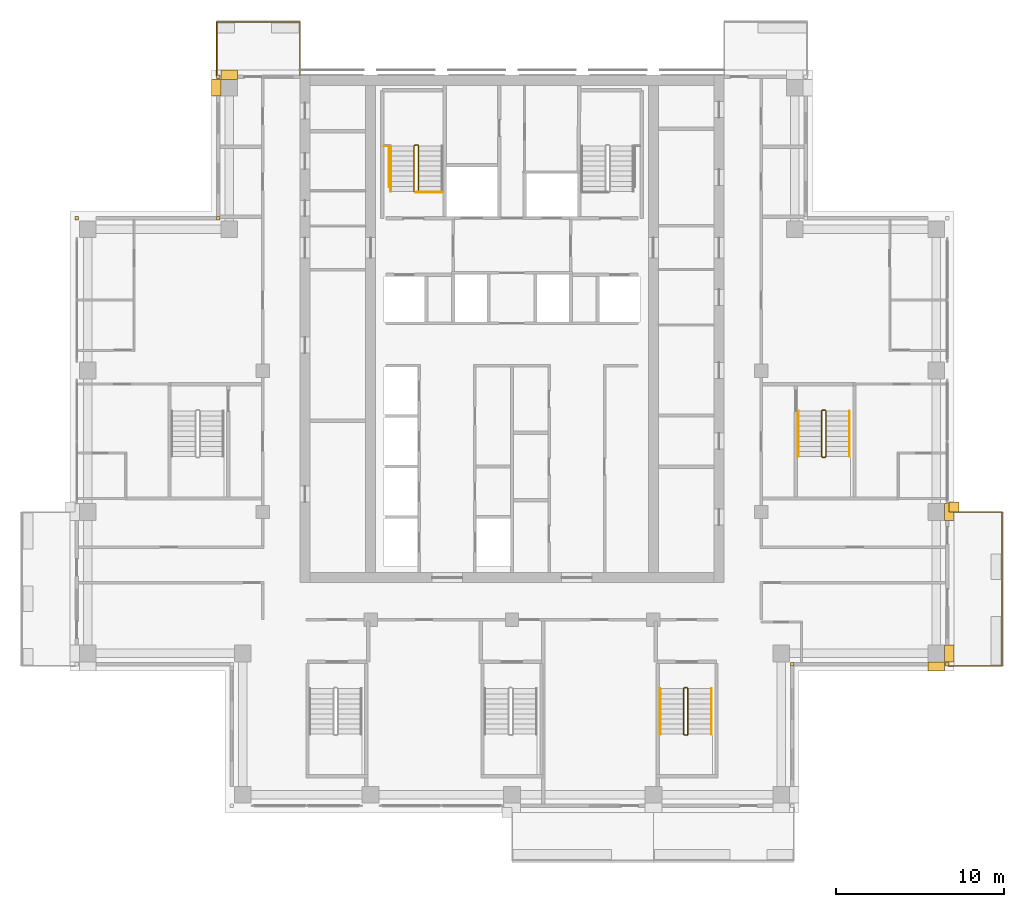
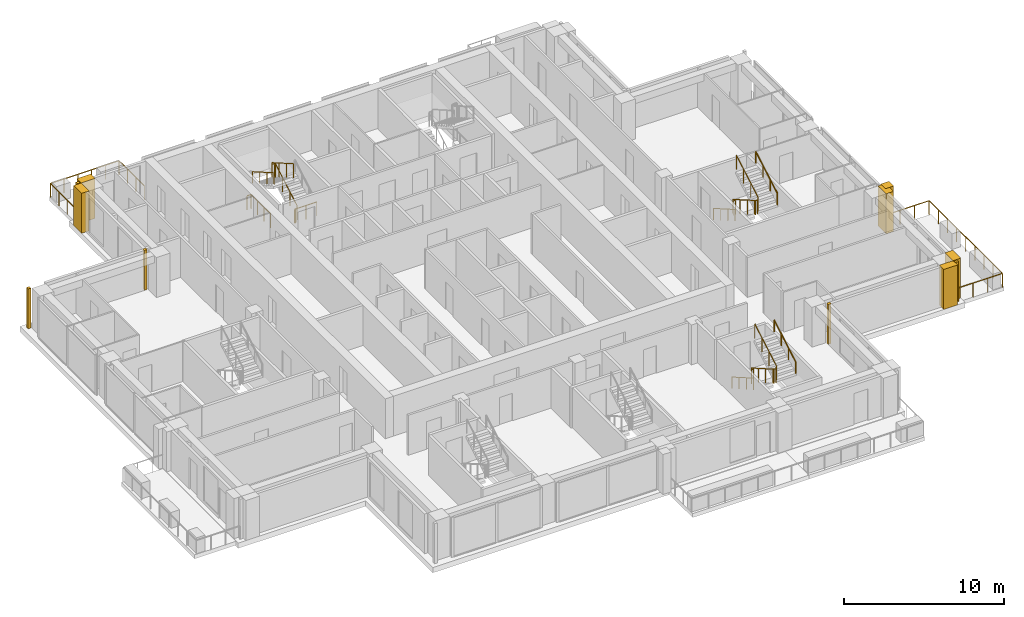
# One storey, part 16 of 17: 12 railings, 11 coverings.
"""IFC4 building model written with IfcOpenShell, lengths in metres."""

from ifc_helpers import new_model, si_unit, direction, frame, origin, origin_2d, place, context, subcontext, project, spatial, polyline, rectangle, outline, extrude, material, type_object, element, save


model = new_model("IFC4")

# Units and contexts
model_context = context("Model", 3, precision=1e-05, world=origin(), true_north=direction((0.0, 1.0)))
body_context = subcontext(model_context, "Body", "Model", "MODEL_VIEW")
ifc_project = project(units=[si_unit("LENGTHUNIT", "METRE"), si_unit("AREAUNIT", "SQUARE_METRE"), si_unit("VOLUMEUNIT", "CUBIC_METRE"), si_unit("PLANEANGLEUNIT", "RADIAN"), si_unit("MASSUNIT", "GRAM", prefix="KILO")], contexts=[model_context])

# Site, building, storey
site_placement = place(None, origin())
site = spatial("IfcSite", under=ifc_project, at=site_placement, CompositionType="ELEMENT")
building_placement = place(site_placement, origin())
building = spatial("IfcBuilding", under=site, at=building_placement, Name="Vermilion Ogive Tower", CompositionType="ELEMENT")
storey_placement = place(building_placement, frame((0.0, 0.0, 189.35009765625)))
storey = spatial("IfcBuildingStorey", under=building, at=storey_placement, Name="L49", CompositionType="ELEMENT", Elevation=189.35009765625)

# Railings
ifc_material_1 = material(Name="Stainless steel and glass", Category="steel")
railing_type_1 = type_object("IfcRailingType", Name="Balcony guard", PredefinedType="GUARDRAIL", material=ifc_material_1)
railing_1_placement = place(storey_placement, frame((25.949951171875, -13.35009765625, -0.0400390625)))
element("IfcRailing", 1, at=railing_1_placement, inside=storey, type_object=railing_type_1, Name="Guard E01", PredefinedType="GUARDRAIL", context=body_context, shape_type="SweptSolid", body=[
    extrude(rectangle(XDim=0.048095703125, YDim=0.048095703125, at=origin_2d()), frame((0.0, 0.0, 1.076171875), z_axis=(1.0, 0.0, 0.0), x_axis=(0.0, 1.0, 0.0)), (0.0, 0.0, 1.0), 3.16015625),
    extrude(rectangle(XDim=0.048095703125, YDim=0.048095703125, at=origin_2d()), frame((3.16015625, 0.0, 1.076171875), z_axis=(0.0, 1.0, 0.0), x_axis=(-1.0, 0.0, 0.0)), (0.0, 0.0, 1.0), 9.150146484375),
    extrude(rectangle(XDim=0.048095703125, YDim=0.048095703125, at=origin_2d()), frame((3.16015625, 9.150146484375, 1.076171875), z_axis=(-1.0, 0.0, 0.0), x_axis=(0.0, -1.0, 0.0)), (0.0, 0.0, 1.0), 3.16015625),
    extrude(rectangle(XDim=0.0419921875, YDim=0.0419921875, at=origin_2d()), origin(), (0.0, 0.0, 1.0), 1.052001953125),
    extrude(rectangle(XDim=0.0419921875, YDim=0.0419921875, at=origin_2d()), frame((1.053466796875, 0.0, 0.0)), (0.0, 0.0, 1.0), 1.052001953125),
    extrude(rectangle(XDim=0.0419921875, YDim=0.0419921875, at=origin_2d()), frame((2.106689453125, 0.0, 0.0)), (0.0, 0.0, 1.0), 1.052001953125),
    extrude(rectangle(XDim=0.0419921875, YDim=0.0419921875, at=origin_2d()), frame((3.16015625, 0.0, 0.0)), (0.0, 0.0, 1.0), 1.052001953125),
    extrude(rectangle(XDim=0.0419921875, YDim=0.0419921875, at=origin_2d()), frame((3.16015625, 1.143798828125, 0.0)), (0.0, 0.0, 1.0), 1.052001953125),
    extrude(rectangle(XDim=0.0419921875, YDim=0.0419921875, at=origin_2d()), frame((3.16015625, 2.28759765625, 0.0)), (0.0, 0.0, 1.0), 1.052001953125),
    extrude(rectangle(XDim=0.0419921875, YDim=0.0419921875, at=origin_2d()), frame((3.16015625, 3.431396484375, 0.0)), (0.0, 0.0, 1.0), 1.052001953125),
    extrude(rectangle(XDim=0.0419921875, YDim=0.0419921875, at=origin_2d()), frame((3.16015625, 4.5751953125, 0.0)), (0.0, 0.0, 1.0), 1.052001953125),
    extrude(rectangle(XDim=0.0419921875, YDim=0.0419921875, at=origin_2d()), frame((3.16015625, 5.71875, 0.0)), (0.0, 0.0, 1.0), 1.052001953125),
    extrude(rectangle(XDim=0.0419921875, YDim=0.0419921875, at=origin_2d()), frame((3.16015625, 6.862548828125, 0.0)), (0.0, 0.0, 1.0), 1.052001953125),
    extrude(rectangle(XDim=0.0419921875, YDim=0.0419921875, at=origin_2d()), frame((3.16015625, 8.00634765625, 0.0)), (0.0, 0.0, 1.0), 1.052001953125),
    extrude(rectangle(XDim=0.0419921875, YDim=0.0419921875, at=origin_2d()), frame((3.16015625, 9.150146484375, 0.0)), (0.0, 0.0, 1.0), 1.052001953125),
    extrude(rectangle(XDim=0.0419921875, YDim=0.0419921875, at=origin_2d()), frame((2.106689453125, 9.150146484375, 0.0)), (0.0, 0.0, 1.0), 1.052001953125),
    extrude(rectangle(XDim=0.0419921875, YDim=0.0419921875, at=origin_2d()), frame((1.053466796875, 9.150146484375, 0.0)), (0.0, 0.0, 1.0), 1.052001953125),
    extrude(rectangle(XDim=0.0419921875, YDim=0.0419921875, at=origin_2d()), frame((0.0, 9.150146484375, 0.0)), (0.0, 0.0, 1.0), 1.052001953125),
])
railing_2_placement = place(storey_placement, frame((-12.60009765625, 21.75, -0.0400390625)))
element("IfcRailing", 2, at=railing_2_placement, inside=storey, type_object=railing_type_1, Name="Guard N201", PredefinedType="GUARDRAIL", context=body_context, shape_type="SweptSolid", body=[
    extrude(rectangle(XDim=0.048095703125, YDim=0.048095703125, at=origin_2d()), frame((0.0, 0.0, 1.076171875), z_axis=(0.0, 1.0, 0.0), x_axis=(-1.0, 0.0, 0.0)), (0.0, 0.0, 1.0), 3.159912109375),
    extrude(rectangle(XDim=0.048095703125, YDim=0.048095703125, at=origin_2d()), frame((0.0, 3.159912109375, 1.076171875), z_axis=(-1.0, 0.0, 0.0), x_axis=(0.0, -1.0, 0.0)), (0.0, 0.0, 1.0), 4.949951171875),
    extrude(rectangle(XDim=0.048095703125, YDim=0.048095703125, at=origin_2d()), frame((-4.949951171875, 3.159912109375, 1.076171875), z_axis=(0.0, -1.0, 0.0), x_axis=(1.0, 0.0, 0.0)), (0.0, 0.0, 1.0), 3.159912109375),
    extrude(rectangle(XDim=0.0419921875, YDim=0.0419921875, at=origin_2d()), origin(), (0.0, 0.0, 1.0), 1.052001953125),
    extrude(rectangle(XDim=0.0419921875, YDim=0.0419921875, at=origin_2d()), frame((0.0, 1.05322265625, 0.0)), (0.0, 0.0, 1.0), 1.052001953125),
    extrude(rectangle(XDim=0.0419921875, YDim=0.0419921875, at=origin_2d()), frame((0.0, 2.106689453125, 0.0)), (0.0, 0.0, 1.0), 1.052001953125),
    extrude(rectangle(XDim=0.0419921875, YDim=0.0419921875, at=origin_2d()), frame((0.0, 3.159912109375, 0.0)), (0.0, 0.0, 1.0), 1.052001953125),
    extrude(rectangle(XDim=0.0419921875, YDim=0.0419921875, at=origin_2d()), frame((-0.989990234375, 3.159912109375, 0.0)), (0.0, 0.0, 1.0), 1.052001953125),
    extrude(rectangle(XDim=0.0419921875, YDim=0.0419921875, at=origin_2d()), frame((-1.97998046875, 3.159912109375, 0.0)), (0.0, 0.0, 1.0), 1.052001953125),
    extrude(rectangle(XDim=0.0419921875, YDim=0.0419921875, at=origin_2d()), frame((-2.969970703125, 3.159912109375, 0.0)), (0.0, 0.0, 1.0), 1.052001953125),
    extrude(rectangle(XDim=0.0419921875, YDim=0.0419921875, at=origin_2d()), frame((-3.9599609375, 3.159912109375, 0.0)), (0.0, 0.0, 1.0), 1.052001953125),
    extrude(rectangle(XDim=0.0419921875, YDim=0.0419921875, at=origin_2d()), frame((-4.949951171875, 3.159912109375, 0.0)), (0.0, 0.0, 1.0), 1.052001953125),
    extrude(rectangle(XDim=0.0419921875, YDim=0.0419921875, at=origin_2d()), frame((-4.949951171875, 2.106689453125, 0.0)), (0.0, 0.0, 1.0), 1.052001953125),
    extrude(rectangle(XDim=0.0419921875, YDim=0.0419921875, at=origin_2d()), frame((-4.949951171875, 1.05322265625, 0.0)), (0.0, 0.0, 1.0), 1.052001953125),
    extrude(rectangle(XDim=0.0419921875, YDim=0.0419921875, at=origin_2d()), frame((-4.949951171875, 0.0, 0.0)), (0.0, 0.0, 1.0), 1.052001953125),
])
ifc_material_2 = material(Name="Steel S355 painted", Category="steel")
railing_type_2 = type_object("IfcRailingType", Name="Stair guard 1100", PredefinedType="GUARDRAIL", material=ifc_material_2)
railing_3_placement = place(storey_placement, frame((-5.75, 14.800048828125, 0.0)))
element("IfcRailing", 3, at=railing_3_placement, inside=storey, type_object=railing_type_2, Name="L49 ST1 stair guard 4", PredefinedType="GUARDRAIL", context=body_context, shape_type="SweptSolid", body=[
    extrude(rectangle(XDim=0.048095703125, YDim=0.048095703125, at=origin_2d()), frame((0.0, 0.0, 1.076171875), z_axis=(1.0, 0.0, 0.0), x_axis=(0.0, 1.0, 0.0)), (0.0, 0.0, 1.0), 0.14990234375),
    extrude(rectangle(XDim=0.048095703125, YDim=0.048095703125, at=origin_2d()), frame((0.14990234375, 0.0, 1.076171875), z_axis=(0.268603158521, 0.268603158521, 0.925043072762), x_axis=(-0.707106781187, 0.707106781187, 0.0)), (0.0, 0.0, 1.0), 0.186279296875),
    extrude(rectangle(XDim=0.048095703125, YDim=0.048095703125, at=origin_2d()), frame((0.199951171875, 0.050048828125, 1.24853515625), z_axis=(0.0, 0.866903762492, 0.498475542607), x_axis=(-1.0, 0.0, 0.0)), (0.0, 0.0, 1.0), 3.114501953125),
    extrude(rectangle(XDim=0.048095703125, YDim=0.048095703125, at=origin_2d()), frame((0.199951171875, 2.75, 2.80078125), z_axis=(-0.707106781187, 0.707106781187, 0.0), x_axis=(-0.707106781187, -0.707106781187, 0.0)), (0.0, 0.0, 1.0), 0.07080078125),
    extrude(rectangle(XDim=0.048095703125, YDim=0.048095703125, at=origin_2d()), frame((0.14990234375, 2.800048828125, 2.80078125), z_axis=(-1.0, 0.0, 0.0), x_axis=(0.0, -1.0, 0.0)), (0.0, 0.0, 1.0), 0.14990234375),
    extrude(rectangle(XDim=0.048095703125, YDim=0.048095703125, at=origin_2d()), frame((0.0, 2.800048828125, 2.80078125), z_axis=(-0.268277960024, -0.268277960024, 0.925231793839), x_axis=(0.707106781187, -0.707106781187, 0.0)), (0.0, 0.0, 1.0), 0.1865234375),
    extrude(rectangle(XDim=0.048095703125, YDim=0.048095703125, at=origin_2d()), frame((-0.050048828125, 2.75, 2.9736328125), z_axis=(0.0, -0.866903762492, 0.498475542607), x_axis=(1.0, 0.0, 0.0)), (0.0, 0.0, 1.0), 3.114501953125),
    extrude(rectangle(XDim=0.0419921875, YDim=0.0419921875, at=origin_2d()), origin(), (0.0, 0.0, 1.0), 1.052001953125),
    extrude(rectangle(XDim=0.0419921875, YDim=0.0419921875, at=origin_2d()), frame((0.14990234375, 0.0, 0.0)), (0.0, 0.0, 1.0), 1.052001953125),
    extrude(rectangle(XDim=0.0419921875, YDim=0.0419921875, at=origin_2d()), frame((0.199951171875, 0.050048828125, 0.17236328125)), (0.0, 0.0, 1.0), 1.052001953125),
    extrude(rectangle(XDim=0.0419921875, YDim=0.0419921875, at=origin_2d()), frame((0.199951171875, 0.949951171875, 0.68994140625)), (0.0, 0.0, 1.0), 1.052001953125),
    extrude(rectangle(XDim=0.0419921875, YDim=0.0419921875, at=origin_2d()), frame((0.199951171875, 1.85009765625, 1.207275390625)), (0.0, 0.0, 1.0), 1.052001953125),
    extrude(rectangle(XDim=0.0419921875, YDim=0.0419921875, at=origin_2d()), frame((0.199951171875, 2.75, 1.724853515625)), (0.0, 0.0, 1.0), 1.052001953125),
    extrude(rectangle(XDim=0.0419921875, YDim=0.0419921875, at=origin_2d()), frame((0.14990234375, 2.800048828125, 1.724853515625)), (0.0, 0.0, 1.0), 1.052001953125),
    extrude(rectangle(XDim=0.0419921875, YDim=0.0419921875, at=origin_2d()), frame((0.0, 2.800048828125, 1.724853515625)), (0.0, 0.0, 1.0), 1.052001953125),
    extrude(rectangle(XDim=0.0419921875, YDim=0.0419921875, at=origin_2d()), frame((-0.050048828125, 2.75, 1.8974609375)), (0.0, 0.0, 1.0), 1.052001953125),
    extrude(rectangle(XDim=0.0419921875, YDim=0.0419921875, at=origin_2d()), frame((-0.050048828125, 1.85009765625, 2.4150390625)), (0.0, 0.0, 1.0), 1.052001953125),
    extrude(rectangle(XDim=0.0419921875, YDim=0.0419921875, at=origin_2d()), frame((-0.050048828125, 0.949951171875, 2.932373046875)), (0.0, 0.0, 1.0), 1.052001953125),
    extrude(rectangle(XDim=0.0419921875, YDim=0.0419921875, at=origin_2d()), frame((-0.050048828125, 0.050048828125, 3.449951171875)), (0.0, 0.0, 1.0), 1.052001953125),
])
railing_4_placement = place(storey_placement, frame((10.39990234375, -14.64990234375, 0.0)))
element("IfcRailing", 4, at=railing_4_placement, inside=storey, type_object=railing_type_2, Name="L49 ST5 stair guard 4", PredefinedType="GUARDRAIL", context=body_context, shape_type="SweptSolid", body=[
    extrude(rectangle(XDim=0.048095703125, YDim=0.048095703125, at=origin_2d()), frame((0.0, 0.0, 1.076171875), z_axis=(-1.0, 0.0, 0.0), x_axis=(0.0, -1.0, 0.0)), (0.0, 0.0, 1.0), 0.14990234375),
    extrude(rectangle(XDim=0.048095703125, YDim=0.048095703125, at=origin_2d()), frame((-0.14990234375, 0.0, 1.076171875), z_axis=(-0.268603158521, -0.268603158521, 0.925043072762), x_axis=(0.707106781187, -0.707106781187, 0.0)), (0.0, 0.0, 1.0), 0.186279296875),
    extrude(rectangle(XDim=0.048095703125, YDim=0.048095703125, at=origin_2d()), frame((-0.199951171875, -0.050048828125, 1.24853515625), z_axis=(0.0, -0.866903762492, 0.498475542607), x_axis=(1.0, 0.0, 0.0)), (0.0, 0.0, 1.0), 3.114501953125),
    extrude(rectangle(XDim=0.048095703125, YDim=0.048095703125, at=origin_2d()), frame((-0.199951171875, -2.75, 2.80078125), z_axis=(0.707106781187, -0.707106781187, 0.0), x_axis=(0.707106781187, 0.707106781187, 0.0)), (0.0, 0.0, 1.0), 0.07080078125),
    extrude(rectangle(XDim=0.048095703125, YDim=0.048095703125, at=origin_2d()), frame((-0.14990234375, -2.800048828125, 2.80078125), z_axis=(1.0, 0.0, 0.0), x_axis=(0.0, 1.0, 0.0)), (0.0, 0.0, 1.0), 0.14990234375),
    extrude(rectangle(XDim=0.048095703125, YDim=0.048095703125, at=origin_2d()), frame((0.0, -2.800048828125, 2.80078125), z_axis=(0.268277960024, 0.268277960024, 0.925231793839), x_axis=(-0.707106781187, 0.707106781187, 0.0)), (0.0, 0.0, 1.0), 0.1865234375),
    extrude(rectangle(XDim=0.048095703125, YDim=0.048095703125, at=origin_2d()), frame((0.050048828125, -2.75, 2.9736328125), z_axis=(0.0, 0.866903762492, 0.498475542607), x_axis=(-1.0, 0.0, 0.0)), (0.0, 0.0, 1.0), 3.114501953125),
    extrude(rectangle(XDim=0.0419921875, YDim=0.0419921875, at=origin_2d()), origin(), (0.0, 0.0, 1.0), 1.052001953125),
    extrude(rectangle(XDim=0.0419921875, YDim=0.0419921875, at=origin_2d()), frame((-0.14990234375, 0.0, 0.0)), (0.0, 0.0, 1.0), 1.052001953125),
    extrude(rectangle(XDim=0.0419921875, YDim=0.0419921875, at=origin_2d()), frame((-0.199951171875, -0.050048828125, 0.17236328125)), (0.0, 0.0, 1.0), 1.052001953125),
    extrude(rectangle(XDim=0.0419921875, YDim=0.0419921875, at=origin_2d()), frame((-0.199951171875, -0.949951171875, 0.68994140625)), (0.0, 0.0, 1.0), 1.052001953125),
    extrude(rectangle(XDim=0.0419921875, YDim=0.0419921875, at=origin_2d()), frame((-0.199951171875, -1.85009765625, 1.207275390625)), (0.0, 0.0, 1.0), 1.052001953125),
    extrude(rectangle(XDim=0.0419921875, YDim=0.0419921875, at=origin_2d()), frame((-0.199951171875, -2.75, 1.724853515625)), (0.0, 0.0, 1.0), 1.052001953125),
    extrude(rectangle(XDim=0.0419921875, YDim=0.0419921875, at=origin_2d()), frame((-0.14990234375, -2.800048828125, 1.724853515625)), (0.0, 0.0, 1.0), 1.052001953125),
    extrude(rectangle(XDim=0.0419921875, YDim=0.0419921875, at=origin_2d()), frame((0.0, -2.800048828125, 1.724853515625)), (0.0, 0.0, 1.0), 1.052001953125),
    extrude(rectangle(XDim=0.0419921875, YDim=0.0419921875, at=origin_2d()), frame((0.050048828125, -2.75, 1.8974609375)), (0.0, 0.0, 1.0), 1.052001953125),
    extrude(rectangle(XDim=0.0419921875, YDim=0.0419921875, at=origin_2d()), frame((0.050048828125, -1.85009765625, 2.4150390625)), (0.0, 0.0, 1.0), 1.052001953125),
    extrude(rectangle(XDim=0.0419921875, YDim=0.0419921875, at=origin_2d()), frame((0.050048828125, -0.949951171875, 2.932373046875)), (0.0, 0.0, 1.0), 1.052001953125),
    extrude(rectangle(XDim=0.0419921875, YDim=0.0419921875, at=origin_2d()), frame((0.050048828125, -0.050048828125, 3.449951171875)), (0.0, 0.0, 1.0), 1.052001953125),
])
railing_5_placement = place(storey_placement, frame((18.60009765625, 1.85009765625, 0.0)))
element("IfcRailing", 5, at=railing_5_placement, inside=storey, type_object=railing_type_2, Name="L49 ST8 stair guard 4", PredefinedType="GUARDRAIL", context=body_context, shape_type="SweptSolid", body=[
    extrude(rectangle(XDim=0.048095703125, YDim=0.048095703125, at=origin_2d()), frame((0.0, 0.0, 1.076171875), z_axis=(-1.0, 0.0, 0.0), x_axis=(0.0, -1.0, 0.0)), (0.0, 0.0, 1.0), 0.150146484375),
    extrude(rectangle(XDim=0.048095703125, YDim=0.048095703125, at=origin_2d()), frame((-0.150146484375, 0.0, 1.076171875), z_axis=(-0.268603158521, -0.268603158521, 0.925043072762), x_axis=(0.707106781187, -0.707106781187, 0.0)), (0.0, 0.0, 1.0), 0.186279296875),
    extrude(rectangle(XDim=0.048095703125, YDim=0.048095703125, at=origin_2d()), frame((-0.2001953125, -0.050048828125, 1.24853515625), z_axis=(0.0, -0.866903762492, 0.498475542607), x_axis=(1.0, 0.0, 0.0)), (0.0, 0.0, 1.0), 3.114501953125),
    extrude(rectangle(XDim=0.048095703125, YDim=0.048095703125, at=origin_2d()), frame((-0.2001953125, -2.75, 2.80078125), z_axis=(0.707106781187, -0.707106781187, 0.0), x_axis=(0.707106781187, 0.707106781187, 0.0)), (0.0, 0.0, 1.0), 0.07080078125),
    extrude(rectangle(XDim=0.048095703125, YDim=0.048095703125, at=origin_2d()), frame((-0.150146484375, -2.800048828125, 2.80078125), z_axis=(1.0, 0.0, 0.0), x_axis=(0.0, 1.0, 0.0)), (0.0, 0.0, 1.0), 0.150146484375),
    extrude(rectangle(XDim=0.048095703125, YDim=0.048095703125, at=origin_2d()), frame((0.0, -2.800048828125, 2.80078125), z_axis=(0.267062837333, 0.268371968888, 0.925556009775), x_axis=(-0.708833529934, 0.705375805398, 0.0)), (0.0, 0.0, 1.0), 0.1865234375),
    extrude(rectangle(XDim=0.048095703125, YDim=0.048095703125, at=origin_2d()), frame((0.0498046875, -2.75, 2.9736328125), z_axis=(0.0, 0.866903762492, 0.498475542607), x_axis=(-1.0, 0.0, 0.0)), (0.0, 0.0, 1.0), 3.114501953125),
    extrude(rectangle(XDim=0.0419921875, YDim=0.0419921875, at=origin_2d()), origin(), (0.0, 0.0, 1.0), 1.052001953125),
    extrude(rectangle(XDim=0.0419921875, YDim=0.0419921875, at=origin_2d()), frame((-0.150146484375, 0.0, 0.0)), (0.0, 0.0, 1.0), 1.052001953125),
    extrude(rectangle(XDim=0.0419921875, YDim=0.0419921875, at=origin_2d()), frame((-0.2001953125, -0.050048828125, 0.17236328125)), (0.0, 0.0, 1.0), 1.052001953125),
    extrude(rectangle(XDim=0.0419921875, YDim=0.0419921875, at=origin_2d()), frame((-0.2001953125, -0.949951171875, 0.68994140625)), (0.0, 0.0, 1.0), 1.052001953125),
    extrude(rectangle(XDim=0.0419921875, YDim=0.0419921875, at=origin_2d()), frame((-0.2001953125, -1.85009765625, 1.207275390625)), (0.0, 0.0, 1.0), 1.052001953125),
    extrude(rectangle(XDim=0.0419921875, YDim=0.0419921875, at=origin_2d()), frame((-0.2001953125, -2.75, 1.724853515625)), (0.0, 0.0, 1.0), 1.052001953125),
    extrude(rectangle(XDim=0.0419921875, YDim=0.0419921875, at=origin_2d()), frame((-0.150146484375, -2.800048828125, 1.724853515625)), (0.0, 0.0, 1.0), 1.052001953125),
    extrude(rectangle(XDim=0.0419921875, YDim=0.0419921875, at=origin_2d()), frame((0.0, -2.800048828125, 1.724853515625)), (0.0, 0.0, 1.0), 1.052001953125),
    extrude(rectangle(XDim=0.0419921875, YDim=0.0419921875, at=origin_2d()), frame((0.0498046875, -2.75, 1.8974609375)), (0.0, 0.0, 1.0), 1.052001953125),
    extrude(rectangle(XDim=0.0419921875, YDim=0.0419921875, at=origin_2d()), frame((0.0498046875, -1.85009765625, 2.4150390625)), (0.0, 0.0, 1.0), 1.052001953125),
    extrude(rectangle(XDim=0.0419921875, YDim=0.0419921875, at=origin_2d()), frame((0.0498046875, -0.949951171875, 2.932373046875)), (0.0, 0.0, 1.0), 1.052001953125),
    extrude(rectangle(XDim=0.0419921875, YDim=0.0419921875, at=origin_2d()), frame((0.0498046875, -0.050048828125, 3.449951171875)), (0.0, 0.0, 1.0), 1.052001953125),
])
railing_6_placement = place(storey_placement, frame((-4.159912109375, 14.7900390625, 0.0)))
element("IfcRailing", 6, at=railing_6_placement, inside=storey, type_object=railing_type_2, Name="L49 stair opening guard", PredefinedType="GUARDRAIL", context=body_context, shape_type="SweptSolid", body=[
    extrude(rectangle(XDim=0.048095703125, YDim=0.048095703125, at=origin_2d()), frame((0.0, 0.0, 1.076171875), z_axis=(-1.0, 0.0, 0.0), x_axis=(0.0, -1.0, 0.0)), (0.0, 0.0, 1.0), 1.5400390625),
    extrude(rectangle(XDim=0.0419921875, YDim=0.0419921875, at=origin_2d()), origin(), (0.0, 0.0, 1.0), 1.052001953125),
    extrude(rectangle(XDim=0.0419921875, YDim=0.0419921875, at=origin_2d()), frame((-0.77001953125, 0.0, 0.0)), (0.0, 0.0, 1.0), 1.052001953125),
    extrude(rectangle(XDim=0.0419921875, YDim=0.0419921875, at=origin_2d()), frame((-1.5400390625, 0.0, 0.0)), (0.0, 0.0, 1.0), 1.052001953125),
])
railing_7_placement = place(storey_placement, frame((-7.3095703125, 15.11865234375, 0.0)))
element("IfcRailing", 7, at=railing_7_placement, inside=storey, type_object=railing_type_2, Name="L49 stair opening guard", PredefinedType="GUARDRAIL", context=body_context, shape_type="SweptSolid", body=[
    extrude(rectangle(XDim=0.048095703125, YDim=0.048095703125, at=origin_2d()), frame((0.0, 0.0, 1.076171875), z_axis=(0.0, 1.0, 0.0), x_axis=(-1.0, 0.0, 0.0)), (0.0, 0.0, 1.0), 2.42431640625),
    extrude(rectangle(XDim=0.048095703125, YDim=0.048095703125, at=origin_2d()), frame((0.0, 2.42431640625, 1.076171875), z_axis=(-1.0, 0.0, 0.0), x_axis=(0.0, -1.0, 0.0)), (0.0, 0.0, 1.0), 0.2900390625),
    extrude(rectangle(XDim=0.0419921875, YDim=0.0419921875, at=origin_2d()), origin(), (0.0, 0.0, 1.0), 1.052001953125),
    extrude(rectangle(XDim=0.0419921875, YDim=0.0419921875, at=origin_2d()), frame((0.0, 0.80810546875, 0.0)), (0.0, 0.0, 1.0), 1.052001953125),
    extrude(rectangle(XDim=0.0419921875, YDim=0.0419921875, at=origin_2d()), frame((0.0, 1.6162109375, 0.0)), (0.0, 0.0, 1.0), 1.052001953125),
    extrude(rectangle(XDim=0.0419921875, YDim=0.0419921875, at=origin_2d()), frame((0.0, 2.42431640625, 0.0)), (0.0, 0.0, 1.0), 1.052001953125),
    extrude(rectangle(XDim=0.0419921875, YDim=0.0419921875, at=origin_2d()), frame((-0.2900390625, 2.42431640625, 0.0)), (0.0, 0.0, 1.0), 1.052001953125),
])
ifc_material_3 = material(Name="Stainless steel", Category="steel")
railing_type_3 = type_object("IfcRailingType", Name="Stair handrail 900", PredefinedType="HANDRAIL", material=ifc_material_3)
for number, where, name in (
    (8, (-7.199951171875, 17.550048828125, 1.8974609375), "L49 ST1 stair handrail 2"),
    (9, (8.800048828125, -14.699951171875, 0.17236328125), "L49 ST5 stair handrail 1"),
):
    element("IfcRailing", number, at=place(storey_placement, frame(where)), inside=storey, type_object=railing_type_3, Name=name, PredefinedType="HANDRAIL", context=body_context, shape_type="SweptSolid", body=[
        extrude(rectangle(XDim=0.048095703125, YDim=0.048095703125, at=origin_2d()), frame((0.0, 0.0, 0.8759765625), z_axis=(0.0, -0.866903762492, 0.498475542607), x_axis=(1.0, 0.0, 0.0)), (0.0, 0.0, 1.0), 3.114501953125),
        extrude(rectangle(XDim=0.0419921875, YDim=0.0419921875, at=origin_2d()), origin(), (0.0, 0.0, 1.0), 0.851806640625),
        extrude(rectangle(XDim=0.0419921875, YDim=0.0419921875, at=origin_2d()), frame((0.0, -0.89990234375, 0.517578125)), (0.0, 0.0, 1.0), 0.851806640625),
        extrude(rectangle(XDim=0.0419921875, YDim=0.0419921875, at=origin_2d()), frame((0.0, -1.800048828125, 1.034912109375)), (0.0, 0.0, 1.0), 0.851806640625),
        extrude(rectangle(XDim=0.0419921875, YDim=0.0419921875, at=origin_2d()), frame((0.0, -2.699951171875, 1.552490234375)), (0.0, 0.0, 1.0), 0.851806640625),
    ])
railing_8_placement = place(storey_placement, frame((11.85009765625, -17.39990234375, 1.8974609375)))
element("IfcRailing", 10, at=railing_8_placement, inside=storey, type_object=railing_type_3, Name="L49 ST5 stair handrail 2", PredefinedType="HANDRAIL", context=body_context, shape_type="SweptSolid", body=[
    extrude(rectangle(XDim=0.048095703125, YDim=0.048095703125, at=origin_2d()), frame((0.0, 0.0, 0.8759765625), z_axis=(0.0, 0.866903762492, 0.498475542607), x_axis=(-1.0, 0.0, 0.0)), (0.0, 0.0, 1.0), 3.114501953125),
    extrude(rectangle(XDim=0.0419921875, YDim=0.0419921875, at=origin_2d()), origin(), (0.0, 0.0, 1.0), 0.851806640625),
    extrude(rectangle(XDim=0.0419921875, YDim=0.0419921875, at=origin_2d()), frame((0.0, 0.89990234375, 0.517578125)), (0.0, 0.0, 1.0), 0.851806640625),
    extrude(rectangle(XDim=0.0419921875, YDim=0.0419921875, at=origin_2d()), frame((0.0, 1.800048828125, 1.034912109375)), (0.0, 0.0, 1.0), 0.851806640625),
    extrude(rectangle(XDim=0.0419921875, YDim=0.0419921875, at=origin_2d()), frame((0.0, 2.699951171875, 1.552490234375)), (0.0, 0.0, 1.0), 0.851806640625),
])
railing_9_placement = place(storey_placement, frame((17.0, 1.800048828125, 0.17236328125)))
element("IfcRailing", 11, at=railing_9_placement, inside=storey, type_object=railing_type_3, Name="L49 ST8 stair handrail 1", PredefinedType="HANDRAIL", context=body_context, shape_type="SweptSolid", body=[
    extrude(rectangle(XDim=0.048095703125, YDim=0.048095703125, at=origin_2d()), frame((0.0, 0.0, 0.8759765625), z_axis=(0.0, -0.866903762492, 0.498475542607), x_axis=(1.0, 0.0, 0.0)), (0.0, 0.0, 1.0), 3.114501953125),
    extrude(rectangle(XDim=0.0419921875, YDim=0.0419921875, at=origin_2d()), origin(), (0.0, 0.0, 1.0), 0.851806640625),
    extrude(rectangle(XDim=0.0419921875, YDim=0.0419921875, at=origin_2d()), frame((0.0, -0.89990234375, 0.517578125)), (0.0, 0.0, 1.0), 0.851806640625),
    extrude(rectangle(XDim=0.0419921875, YDim=0.0419921875, at=origin_2d()), frame((0.0, -1.800048828125, 1.034912109375)), (0.0, 0.0, 1.0), 0.851806640625),
    extrude(rectangle(XDim=0.0419921875, YDim=0.0419921875, at=origin_2d()), frame((0.0, -2.699951171875, 1.552490234375)), (0.0, 0.0, 1.0), 0.851806640625),
])
railing_10_placement = place(storey_placement, frame((20.050048828125, -0.89990234375, 1.8974609375)))
element("IfcRailing", 12, at=railing_10_placement, inside=storey, type_object=railing_type_3, Name="L49 ST8 stair handrail 2", PredefinedType="HANDRAIL", context=body_context, shape_type="SweptSolid", body=[
    extrude(rectangle(XDim=0.048095703125, YDim=0.048095703125, at=origin_2d()), frame((0.0, 0.0, 0.8759765625), z_axis=(0.0, 0.866903762492, 0.498475542607), x_axis=(-1.0, 0.0, 0.0)), (0.0, 0.0, 1.0), 3.114501953125),
    extrude(rectangle(XDim=0.0419921875, YDim=0.0419921875, at=origin_2d()), origin(), (0.0, 0.0, 1.0), 0.851806640625),
    extrude(rectangle(XDim=0.0419921875, YDim=0.0419921875, at=origin_2d()), frame((0.0, 0.89990234375, 0.517578125)), (0.0, 0.0, 1.0), 0.851806640625),
    extrude(rectangle(XDim=0.0419921875, YDim=0.0419921875, at=origin_2d()), frame((0.0, 1.800048828125, 1.034912109375)), (0.0, 0.0, 1.0), 0.851806640625),
    extrude(rectangle(XDim=0.0419921875, YDim=0.0419921875, at=origin_2d()), frame((0.0, 2.699951171875, 1.552490234375)), (0.0, 0.0, 1.0), 0.851806640625),
])

# Coverings
ifc_material_4 = material(Name="Stone cladding", Category="masonry")
covering_type_1 = type_object("IfcCoveringType", Name="Stone corner buttress", PredefinedType="CLADDING", material=ifc_material_4)
covering_1_placement = place(storey_placement, origin())
element("IfcCovering", 13, at=covering_1_placement, inside=storey, type_object=covering_type_1, Name="Stone crease pier EK", PredefinedType="CLADDING", context=body_context, shape_type="SweptSolid", body=[
    extrude(outline(polyline([(26.550048828125, -4.199951171875), (26.550048828125, -3.60009765625), (25.949951171875, -3.60009765625), (25.949951171875, -4.199951171875), (26.550048828125, -4.199951171875)])), origin(), (0.0, 0.0, 1.0), 3.0498046875),
])
ifc_material_5 = material(Name="Stone cladding", Category="masonry")
covering_type_2 = type_object("IfcCoveringType", Name="Stone pier", PredefinedType="CLADDING", material=ifc_material_5)
covering_2_placement = place(storey_placement, origin())
element("IfcCovering", 14, at=covering_2_placement, inside=storey, type_object=covering_type_2, Name="Stone corner pier X1E1", PredefinedType="CLADDING", context=body_context, shape_type="SweptSolid", body=[
    extrude(outline(polyline([(16.550048828125, -13.14990234375), (16.75, -13.14990234375), (16.75, -13.35009765625), (16.550048828125, -13.35009765625), (16.550048828125, -13.14990234375)])), origin(), (0.0, 0.0, 1.0), 3.0498046875),
])
covering_3_placement = place(storey_placement, origin())
element("IfcCovering", 15, at=covering_3_placement, inside=storey, type_object=covering_type_2, Name="Stone corner pier X2E1", PredefinedType="CLADDING", context=body_context, shape_type="SweptSolid", body=[
    extrude(outline(polyline([(25.75, -13.14990234375), (25.949951171875, -13.14990234375), (25.949951171875, -13.35009765625), (25.75, -13.35009765625), (25.75, -13.14990234375)])), origin(), (0.0, 0.0, 1.0), 3.0498046875),
])
covering_4_placement = place(storey_placement, origin())
element("IfcCovering", 16, at=covering_4_placement, inside=storey, type_object=covering_type_2, Name="Stone corner pier N2E1", PredefinedType="CLADDING", context=body_context, shape_type="SweptSolid", body=[
    extrude(outline(polyline([(-17.35009765625, 21.550048828125), (-17.550048828125, 21.550048828125), (-17.550048828125, 21.75), (-17.35009765625, 21.75), (-17.35009765625, 21.550048828125)])), origin(), (0.0, 0.0, 1.0), 3.0498046875),
])
covering_5_placement = place(storey_placement, origin())
element("IfcCovering", 17, at=covering_5_placement, inside=storey, type_object=covering_type_2, Name="Stone corner pier X5E1", PredefinedType="CLADDING", context=body_context, shape_type="SweptSolid", body=[
    extrude(outline(polyline([(-17.35009765625, 13.14990234375), (-17.550048828125, 13.14990234375), (-17.550048828125, 13.35009765625), (-17.35009765625, 13.35009765625), (-17.35009765625, 13.14990234375)])), origin(), (0.0, 0.0, 1.0), 3.0498046875),
])
covering_6_placement = place(storey_placement, origin())
element("IfcCovering", 18, at=covering_6_placement, inside=storey, type_object=covering_type_2, Name="Stone corner pier X6E1", PredefinedType="CLADDING", context=body_context, shape_type="SweptSolid", body=[
    extrude(outline(polyline([(-25.75, 13.14990234375), (-25.949951171875, 13.14990234375), (-25.949951171875, 13.35009765625), (-25.75, 13.35009765625), (-25.75, 13.14990234375)])), origin(), (0.0, 0.0, 1.0), 3.0498046875),
])
covering_7_placement = place(storey_placement, origin())
element("IfcCovering", 19, at=covering_7_placement, inside=storey, type_object=covering_type_2, Name="Stone pier P+0252-042", PredefinedType="CLADDING", context=body_context, shape_type="SweptSolid", body=[
    extrude(outline(polyline([(25.699951171875, -3.699951171875), (25.949951171875, -3.699951171875), (25.949951171875, -4.199951171875), (26.25, -4.199951171875), (26.25, -4.699951171875), (25.699951171875, -4.699951171875), (25.699951171875, -4.699951171875), (25.699951171875, -3.699951171875)])), origin(), (0.0, 0.0, 1.0), 3.0498046875),
])
covering_8_placement = place(storey_placement, origin())
element("IfcCovering", 20, at=covering_8_placement, inside=storey, type_object=covering_type_2, Name="Stone pier P+0252-126X2", PredefinedType="CLADDING", context=body_context, shape_type="SweptSolid", body=[
    extrude(outline(polyline([(25.699951171875, -13.64990234375), (24.699951171875, -13.64990234375), (24.699951171875, -13.10009765625), (25.699951171875, -13.10009765625), (25.699951171875, -13.64990234375)])), origin(), (0.0, 0.0, 1.0), 3.0498046875),
])
covering_9_placement = place(storey_placement, origin())
element("IfcCovering", 21, at=covering_9_placement, inside=storey, type_object=covering_type_2, Name="Stone pier P+0252-126E", PredefinedType="CLADDING", context=body_context, shape_type="SweptSolid", body=[
    extrude(outline(polyline([(26.25, -13.10009765625), (25.699951171875, -13.10009765625), (25.699951171875, -12.10009765625), (26.25, -12.10009765625), (26.25, -13.10009765625)])), origin(), (0.0, 0.0, 1.0), 3.0498046875),
])
covering_10_placement = place(storey_placement, origin())
element("IfcCovering", 22, at=covering_10_placement, inside=storey, type_object=covering_type_2, Name="Stone pier P-0168+210N2", PredefinedType="CLADDING", context=body_context, shape_type="SweptSolid", body=[
    extrude(outline(polyline([(-17.300048828125, 21.5), (-17.300048828125, 22.050048828125), (-16.300048828125, 22.050048828125), (-16.300048828125, 21.5), (-17.300048828125, 21.5), (-17.300048828125, 21.5)])), origin(), (0.0, 0.0, 1.0), 3.0498046875),
])
covering_11_placement = place(storey_placement, origin())
element("IfcCovering", 23, at=covering_11_placement, inside=storey, type_object=covering_type_2, Name="Stone pier P-0168+210X5", PredefinedType="CLADDING", context=body_context, shape_type="SweptSolid", body=[
    extrude(outline(polyline([(-17.85009765625, 21.5), (-17.300048828125, 21.5), (-17.300048828125, 21.5), (-17.300048828125, 20.5), (-17.85009765625, 20.5), (-17.85009765625, 21.5)])), origin(), (0.0, 0.0, 1.0), 3.0498046875),
])

save(model, "model.ifc")
